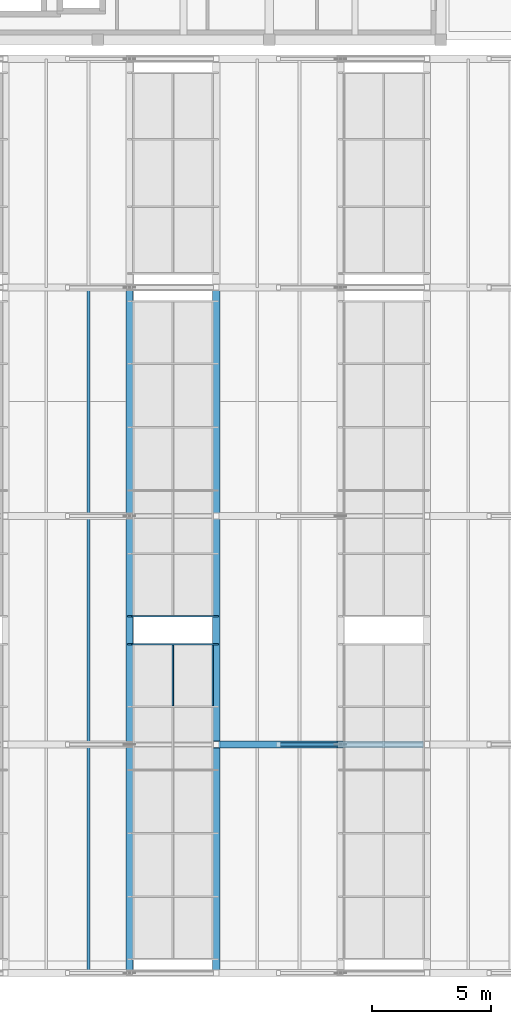
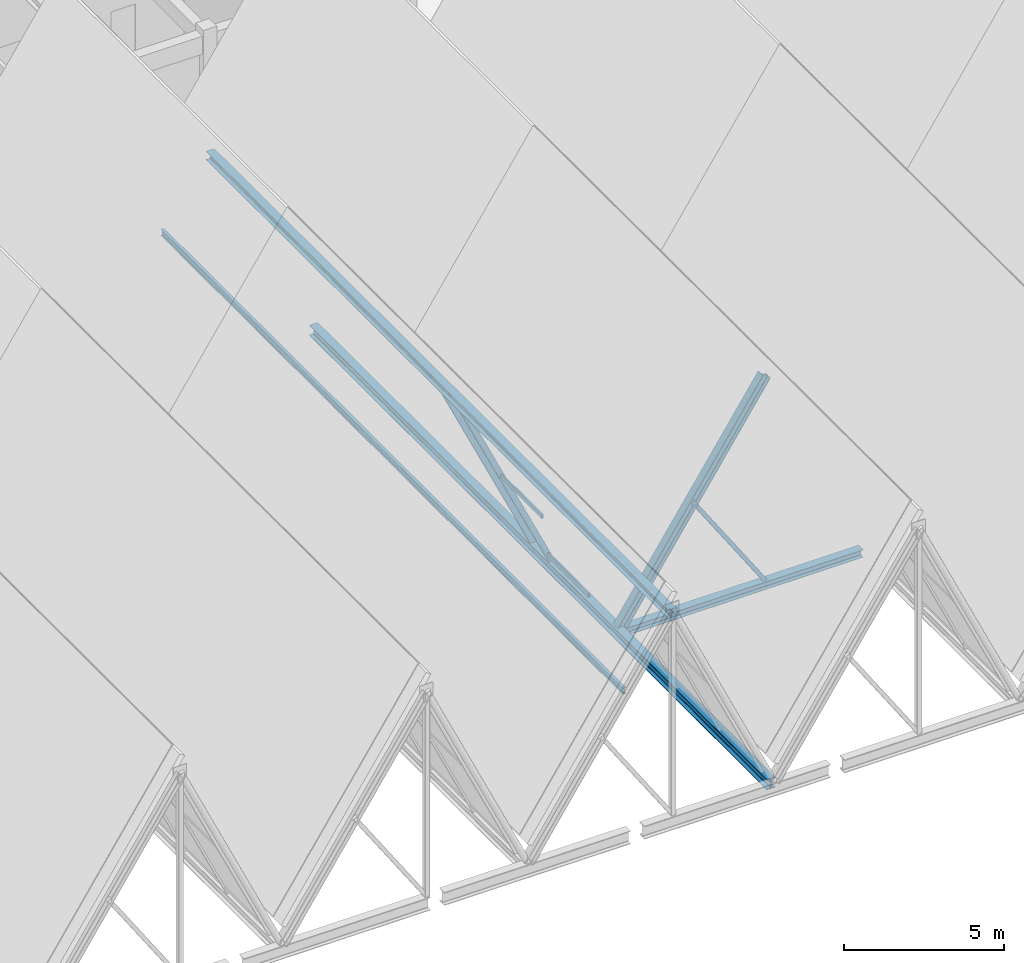
# One storey, part 44 of 99: 8 members, 2 beams, 2 elements without a shape of their own.
"""IFC4 building model written with IfcOpenShell, lengths in metres."""

from ifc_helpers import new_model, si_unit, direction, frame, origin, origin_2d, place, context, subcontext, project, spatial, hollow_rectangle, i_section, extrude, material, material_profile, profile_set, type_object, element, aggregate, save


model = new_model("IFC4")

# Units and contexts
model_context = context("Model", 3, precision=1e-05, world=origin(), true_north=direction((0.0, 1.0)))
body_context = subcontext(model_context, "Body", "Model", "MODEL_VIEW")
ifc_project = project(units=[si_unit("LENGTHUNIT", "METRE"), si_unit("AREAUNIT", "SQUARE_METRE"), si_unit("VOLUMEUNIT", "CUBIC_METRE"), si_unit("PLANEANGLEUNIT", "RADIAN"), si_unit("MASSUNIT", "GRAM", prefix="KILO")], contexts=[model_context])

# Site, building, storey
site_placement = place(None, origin())
site = spatial("IfcSite", under=ifc_project, at=site_placement, CompositionType="ELEMENT")
building_placement = place(site_placement, origin())
building = spatial("IfcBuilding", under=site, at=building_placement, Name="Bramveld Media Centre", CompositionType="ELEMENT")
storey_placement = place(building_placement, frame((0.0, 0.0, 13.800048828125)))
storey = spatial("IfcBuildingStorey", under=building, at=storey_placement, Name="L03", CompositionType="ELEMENT", Elevation=13.800048828125)

# Curtain wall, member
ifc_material_1 = material(Name="Thermally broken anodized bronze aluminium unitized curtain wall with solar-control triple glazing", Category="aluminium")
curtain_wall_type = type_object("IfcCurtainWallType", Name="CW-SAW-13300x8606", PredefinedType="NOTDEFINED", material=ifc_material_1)
curtain_wall_1_placement = place(storey_placement, origin())
curtain_wall_1 = element("IfcCurtainWall", 1, at=curtain_wall_1_placement, inside=storey, type_object=curtain_wall_type, Name="V1 sawtooth north-light clerestory B3-S1", PredefinedType="NOTDEFINED")
ifc_material_2 = material(Name="Thermally broken anodized bronze aluminium EN AW-6063 T6 curtain-wall framing", Category="aluminium")
ifc_material_profile_1 = material_profile(ifc_material_2, hollow_rectangle(XDim=0.070068359375, YDim=0.199951171875, WallThickness=0.00439453125, InnerFilletRadius=0.00439453125, OuterFilletRadius=0.009033203125, at=origin_2d()), Name="AL-MULL 70x200")
ifc_profile_set_1 = profile_set([ifc_material_profile_1], Name="Thermally broken anodized bronze aluminium EN AW-6063 T6 curtain-wall framing")
member_type_1 = type_object("IfcMemberType", Name="CW-MULL-SLP", PredefinedType="MULLION", material=ifc_profile_set_1)
member_1_placement = place(storey_placement, frame((150.5712890625, 13.81494140625, -0.02001953125), z_axis=(-0.423956992265, 0.0, 0.90568232218), x_axis=(0.0, -1.0, 0.0)))
member_1 = element("IfcMember", 2, at=member_1_placement, type_object=member_type_1, Name="CW-SA-13386 sloped mullion 6", PredefinedType="MULLION", context=body_context, shape_type="SweptSolid", body=[
    extrude(hollow_rectangle(XDim=0.070068359375, YDim=0.199951171875, WallThickness=0.00439453125, InnerFilletRadius=0.00439453125, OuterFilletRadius=0.009033203125, at=origin_2d()), origin(), (0.0, 0.0, 1.0), 8.5791015625),
])

curtain_wall_2_placement = place(storey_placement, origin())
curtain_wall_2 = element("IfcCurtainWall", 3, at=curtain_wall_2_placement, inside=storey, type_object=curtain_wall_type, Name="V1 sawtooth north-light clerestory B3-S2", PredefinedType="NOTDEFINED")
member_2_placement = place(storey_placement, frame((150.5712890625, 14.985107421875, -0.02001953125), z_axis=(-0.423956992265, 0.0, 0.90568232218), x_axis=(0.0, -1.0, 0.0)))
member_2 = element("IfcMember", 4, at=member_2_placement, type_object=member_type_1, Name="CW-SA-13386 sloped mullion 1", PredefinedType="MULLION", context=body_context, shape_type="SweptSolid", body=[
    extrude(hollow_rectangle(XDim=0.070068359375, YDim=0.199951171875, WallThickness=0.00439453125, InnerFilletRadius=0.00439453125, OuterFilletRadius=0.009033203125, at=origin_2d()), origin(), (0.0, 0.0, 1.0), 8.5791015625),
])
aggregate(curtain_wall_2, [member_2])

# Member
ifc_material_3 = material(Name="Thermally broken anodized bronze aluminium EN AW-6063 T6 curtain-wall framing", Category="aluminium")
ifc_material_profile_2 = material_profile(ifc_material_3, hollow_rectangle(XDim=0.070068359375, YDim=0.14990234375, WallThickness=0.00390625, InnerFilletRadius=0.00390625, OuterFilletRadius=0.008056640625, at=origin_2d()), Name="AL-TRAN 70x150")
ifc_profile_set_2 = profile_set([ifc_material_profile_2], Name="Thermally broken anodized bronze aluminium EN AW-6063 T6 curtain-wall framing")
member_type_2 = type_object("IfcMemberType", Name="CW-TRAN-SLP", PredefinedType="USERDEFINED", material=ifc_profile_set_2)
member_3_placement = place(storey_placement, frame((150.42578125, 11.22509765625, 0.290771484375), z_axis=(0.0, 1.0, 0.0), x_axis=(-1.0, 0.0, 0.0)))
member_3 = element("IfcMember", 5, at=member_3_placement, type_object=member_type_2, Name="CW-SA-13386 transom 5.1", ObjectType="TRANSOM", PredefinedType="USERDEFINED", context=body_context, shape_type="SweptSolid", body=[
    extrude(hollow_rectangle(XDim=0.070068359375, YDim=0.14990234375, WallThickness=0.00390625, InnerFilletRadius=0.00390625, OuterFilletRadius=0.008056640625, at=origin_2d()), origin(), (0.0, 0.0, 1.0), 2.554931640625),
])

member_4_placement = place(storey_placement, frame((148.752685546875, 11.22509765625, 3.864990234375), z_axis=(0.0, 1.0, 0.0), x_axis=(-1.0, 0.0, 0.0)))
member_4 = element("IfcMember", 6, at=member_4_placement, type_object=member_type_2, Name="CW-SA-13386 transom 5.2", ObjectType="TRANSOM", PredefinedType="USERDEFINED", context=body_context, shape_type="SweptSolid", body=[
    extrude(hollow_rectangle(XDim=0.070068359375, YDim=0.14990234375, WallThickness=0.00390625, InnerFilletRadius=0.00390625, OuterFilletRadius=0.008056640625, at=origin_2d()), origin(), (0.0, 0.0, 1.0), 2.554931640625),
])

aggregate(curtain_wall_1, [member_1, member_3, member_4])

# Members
ifc_material_4 = material(Name="Steel S355J2H", Category="steel")
ifc_material_profile_3 = material_profile(ifc_material_4, hollow_rectangle(XDim=0.14990234375, YDim=0.14990234375, WallThickness=0.010009765625, InnerFilletRadius=0.010009765625, OuterFilletRadius=0.02001953125, at=origin_2d()), Name="SHS 150x150x10")
ifc_profile_set_3 = profile_set([ifc_material_profile_3], Name="Steel S355J2H")
member_type_3 = type_object("IfcMemberType", Name="MEM-BRACE-SHS150", PredefinedType="BRACE", material=ifc_profile_set_3)
member_5_placement = place(storey_placement, frame((155.791259765625, 9.60009765625, 0.0), z_axis=(-0.55616408489, 0.0, 0.83107250627), x_axis=(0.0, -1.0, 0.0)))
element("IfcMember", 7, at=member_5_placement, inside=storey, type_object=member_type_3, Name="TRUSS-V1-B04-F2 web diagonal", PredefinedType="BRACE", context=body_context, shape_type="SweptSolid", body=[
    extrude(hollow_rectangle(XDim=0.14990234375, YDim=0.14990234375, WallThickness=0.010009765625, InnerFilletRadius=0.010009765625, OuterFilletRadius=0.02001953125, at=origin_2d()), origin(), (0.0, 0.0, 1.0), 4.692626953125),
])
ifc_material_5 = material(Name="Steel S355J2", Category="steel")
ifc_material_profile_4 = material_profile(ifc_material_5, i_section(OverallWidth=0.300048828125, OverallDepth=0.2900390625, WebThickness=0.008544921875, FlangeThickness=0.013916015625, FilletRadius=0.027099609375, at=origin_2d()), Name="HEA 300")
ifc_profile_set_4 = profile_set([ifc_material_profile_4], Name="Steel S355J2")
member_type_4 = type_object("IfcMemberType", Name="MEM-CHORD-HEA300", PredefinedType="CHORD", material=ifc_profile_set_4)
member_6_placement = place(storey_placement, frame((150.7314453125, 9.60009765625, -0.14501953125), z_axis=(1.0, 0.0, 0.0), x_axis=(0.0, 1.0, 0.0)))
element("IfcMember", 8, at=member_6_placement, inside=storey, type_object=member_type_4, Name="TRUSS-V1-B04-F2 bottom tie chord", PredefinedType="CHORD", context=body_context, shape_type="SweptSolid", body=[
    extrude(i_section(OverallWidth=0.300048828125, OverallDepth=0.2900390625, WebThickness=0.008544921875, FlangeThickness=0.013916015625, FilletRadius=0.027099609375, at=origin_2d()), origin(), (0.0, 0.0, 1.0), 8.537109375),
])
ifc_material_6 = material(Name="Steel S355J2", Category="steel")
ifc_material_profile_5 = material_profile(ifc_material_6, i_section(OverallWidth=0.300048828125, OverallDepth=0.340087890625, WebThickness=0.011962890625, FlangeThickness=0.021484375, FilletRadius=0.027099609375, at=origin_2d()), Name="HEB 340")
ifc_profile_set_5 = profile_set([ifc_material_profile_5], Name="Steel S355J2")
member_type_5 = type_object("IfcMemberType", Name="MEM-CHORD-HEB340", PredefinedType="CHORD", material=ifc_profile_set_5)
member_7_placement = place(storey_placement, frame((150.5712890625, 9.60009765625, 0.0), z_axis=(0.556170027887, 0.0, 0.831068529112), x_axis=(0.0, 1.0, 0.0)))
element("IfcMember", 9, at=member_7_placement, inside=storey, type_object=member_type_5, Name="TRUSS-V1-B04-F2 top rafter chord", PredefinedType="CHORD", context=body_context, shape_type="SweptSolid", body=[
    extrude(i_section(OverallWidth=0.300048828125, OverallDepth=0.340087890625, WebThickness=0.011962890625, FlangeThickness=0.021484375, FilletRadius=0.027099609375, at=origin_2d()), origin(), (0.0, 0.0, 1.0), 9.385498046875),
])
ifc_material_7 = material(Name="Steel S355J2", Category="steel")
ifc_material_profile_6 = material_profile(ifc_material_7, i_section(OverallWidth=0.1201171875, OverallDepth=0.239990234375, WebThickness=0.006103515625, FlangeThickness=0.009765625, FilletRadius=0.014892578125, at=origin_2d()), Name="IPE 240")
ifc_profile_set_6 = profile_set([ifc_material_profile_6], Name="Steel S355J2")
member_type_6 = type_object("IfcMemberType", Name="MEM-PURLIN-IPE240", PredefinedType="PURLIN", material=ifc_profile_set_6)
member_8_placement = place(storey_placement, frame((145.211669921875, 0.0, 5.283447265625), z_axis=(0.0, 1.0, 0.0), x_axis=(-1.0, 0.0, 0.0)))
element("IfcMember", 10, at=member_8_placement, inside=storey, type_object=member_type_6, Name="V1 roof purlin", PredefinedType="PURLIN", context=body_context, shape_type="SweptSolid", body=[
    extrude(i_section(OverallWidth=0.1201171875, OverallDepth=0.239990234375, WebThickness=0.006103515625, FlangeThickness=0.009765625, FilletRadius=0.014892578125, at=origin_2d()), origin(), (0.0, 0.0, 1.0), 28.800048828125),
])

# Beams
ifc_material_8 = material(Name="Steel S355J2", Category="steel")
ifc_material_profile_7 = material_profile(ifc_material_8, i_section(OverallWidth=0.300048828125, OverallDepth=0.330078125, WebThickness=0.009521484375, FlangeThickness=0.0166015625, FilletRadius=0.027099609375, at=origin_2d()), Name="HEA 340")
ifc_profile_set_7 = profile_set([ifc_material_profile_7], Name="Steel S355J2")
beam_type_1 = type_object("IfcBeamType", Name="SBM-INT-HEA-340", PredefinedType="BEAM", material=ifc_profile_set_7)
beam_1_placement = place(storey_placement, frame((146.93408203125, 0.0, 7.635009765625), z_axis=(0.0, 1.0, 0.0), x_axis=(-1.0, 0.0, 0.0)))
element("IfcBeam", 11, at=beam_1_placement, inside=storey, type_object=beam_type_1, Name="V1 ridge spine beam", PredefinedType="BEAM", context=body_context, shape_type="SweptSolid", body=[
    extrude(i_section(OverallWidth=0.300048828125, OverallDepth=0.330078125, WebThickness=0.009521484375, FlangeThickness=0.0166015625, FilletRadius=0.027099609375, at=origin_2d()), origin(), (0.0, 0.0, 1.0), 28.800048828125),
])
ifc_material_9 = material(Name="Steel S355J2", Category="steel")
ifc_material_profile_8 = material_profile(ifc_material_9, i_section(OverallWidth=0.300048828125, OverallDepth=0.39990234375, WebThickness=0.013427734375, FlangeThickness=0.02392578125, FilletRadius=0.027099609375, at=origin_2d()), Name="HEB 400")
ifc_profile_set_8 = profile_set([ifc_material_profile_8], Name="Steel S355J2")
beam_type_2 = type_object("IfcBeamType", Name="SBM-INT-HEB-400", PredefinedType="BEAM", material=ifc_profile_set_8)
beam_2_placement = place(storey_placement, frame((150.5712890625, 0.139892578125, -0.199951171875), z_axis=(0.0, 1.0, 0.0), x_axis=(-1.0, 0.0, 0.0)))
element("IfcBeam", 12, at=beam_2_placement, inside=storey, type_object=beam_type_2, Name="V1 valley spine girder 3", PredefinedType="BEAM", context=body_context, shape_type="SweptSolid", body=[
    extrude(i_section(OverallWidth=0.300048828125, OverallDepth=0.39990234375, WebThickness=0.013427734375, FlangeThickness=0.02392578125, FilletRadius=0.027099609375, at=origin_2d()), origin(), (0.0, 0.0, 1.0), 28.52001953125),
])

save(model, "model.ifc")
